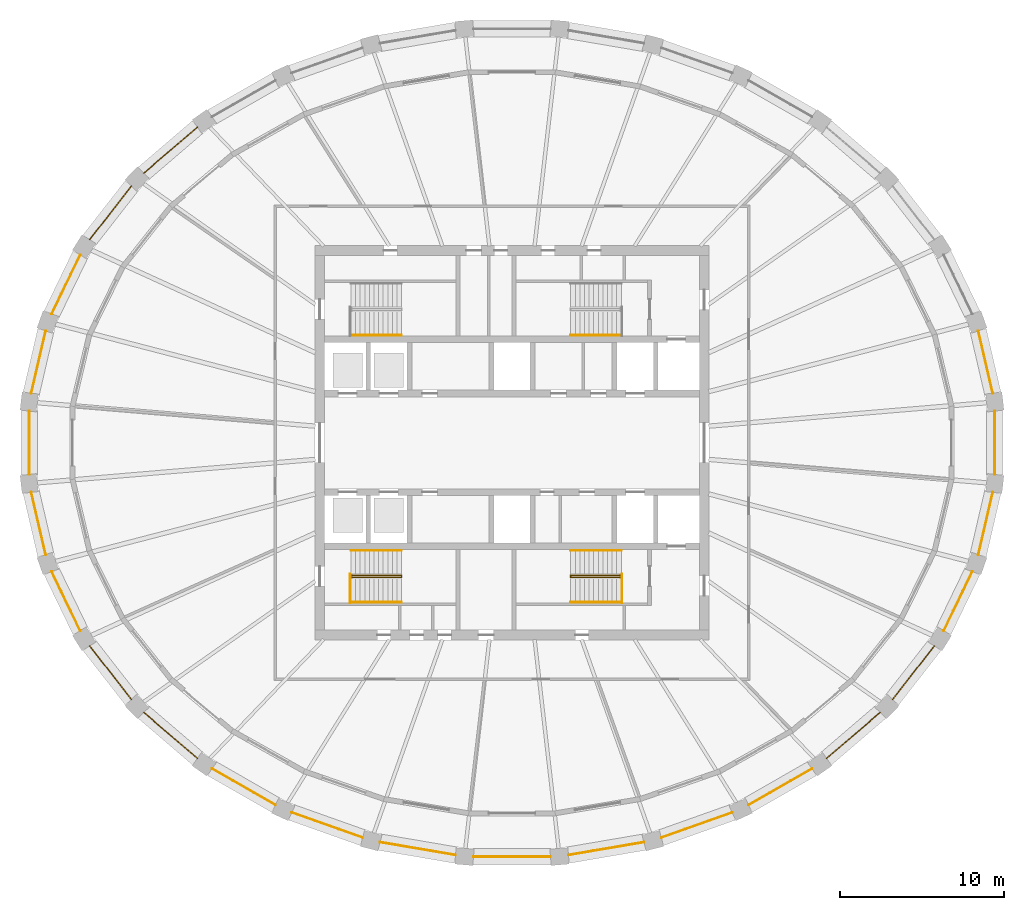
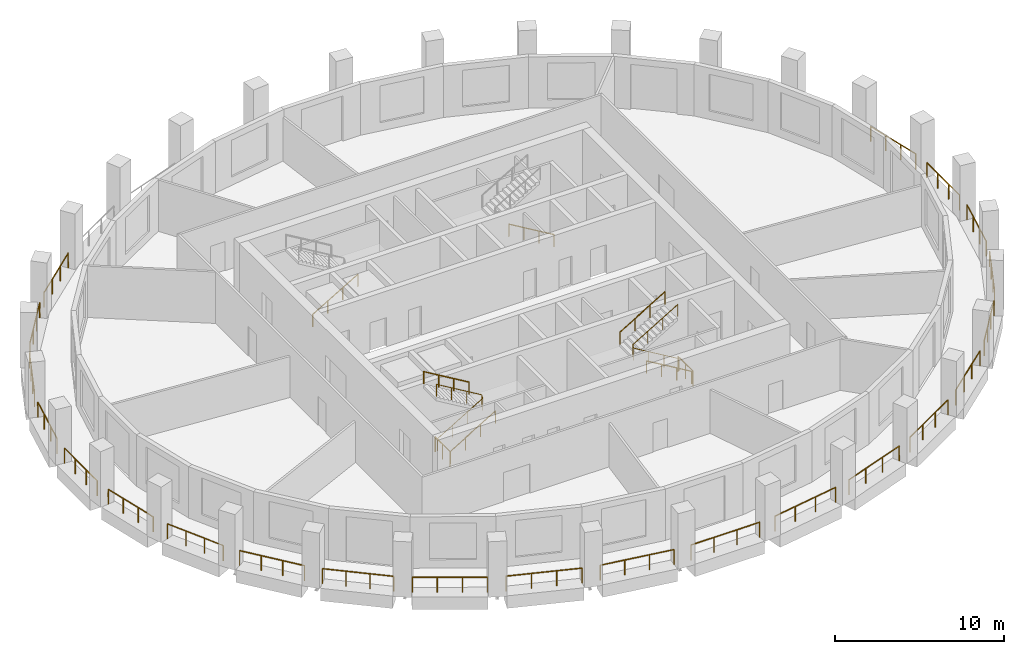
# One storey, part 8 of 10: 32 railings.
"""IFC4 building model written with IfcOpenShell, lengths in metres."""

from ifc_helpers import new_model, si_unit, direction, frame, origin, origin_2d, place, context, subcontext, project, spatial, circle, extrude, material, type_object, element, save


model = new_model("IFC4")

# Units and contexts
model_context = context("Model", 3, precision=1e-05, world=origin(), true_north=direction((0.0, 1.0)))
body_context = subcontext(model_context, "Body", "Model", "MODEL_VIEW")
ifc_project = project(units=[si_unit("LENGTHUNIT", "METRE"), si_unit("AREAUNIT", "SQUARE_METRE"), si_unit("VOLUMEUNIT", "CUBIC_METRE"), si_unit("PLANEANGLEUNIT", "RADIAN"), si_unit("MASSUNIT", "GRAM", prefix="KILO")], contexts=[model_context])

# Site, building, storey
site_placement = place(None, origin())
site = spatial("IfcSite", under=ifc_project, at=site_placement, CompositionType="ELEMENT")
building_placement = place(site_placement, origin())
building = spatial("IfcBuilding", under=site, at=building_placement, Name="Halqa Exchange Tower", CompositionType="ELEMENT")
storey_placement = place(building_placement, frame((0.0, 0.0, 280.300048828125)))
storey = spatial("IfcBuildingStorey", under=building, at=storey_placement, Name="L65", CompositionType="ELEMENT", Elevation=280.300048828125)

# Railings
ifc_material = material(Name="Stainless steel", Category="steel")
railing_type_1 = type_object("IfcRailingType", Name="Guard 1100 stainless steel", PredefinedType="GUARDRAIL", material=ifc_material)
railing_1_placement = place(storey_placement, frame((29.259765625, 3.016357421875, 0.0)))
element("IfcRailing", 1, at=railing_1_placement, inside=storey, type_object=railing_type_1, Name="Loggia guard 1", PredefinedType="GUARDRAIL", context=body_context, shape_type="SweptSolid", body=[
    extrude(circle(Radius=0.02392578125, at=origin_2d()), frame((0.0, 0.0, 1.076171875), z_axis=(-0.226072359683, 0.974110511281, 0.0), x_axis=(-0.974110511281, -0.226072359683, 0.0)), (0.0, 0.0, 1.0), 3.895263671875),
    extrude(circle(Radius=0.02099609375, at=origin_2d()), origin(), (0.0, 0.0, 1.0), 1.052001953125),
    extrude(circle(Radius=0.02099609375, at=origin_2d()), frame((-0.29345703125, 1.264892578125, 0.0)), (0.0, 0.0, 1.0), 1.052001953125),
    extrude(circle(Radius=0.02099609375, at=origin_2d()), frame((-0.587158203125, 2.529541015625, 0.0)), (0.0, 0.0, 1.0), 1.052001953125),
    extrude(circle(Radius=0.02099609375, at=origin_2d()), frame((-0.880615234375, 3.79443359375, 0.0)), (0.0, 0.0, 1.0), 1.052001953125),
])
railing_2_placement = place(storey_placement, frame((-19.14892578125, 19.205810546875, 0.0)))
element("IfcRailing", 2, at=railing_2_placement, inside=storey, type_object=railing_type_1, Name="Loggia guard 12", PredefinedType="GUARDRAIL", context=body_context, shape_type="SweptSolid", body=[
    extrude(circle(Radius=0.02392578125, at=origin_2d()), frame((0.0, 0.0, 1.076171875), z_axis=(-0.759224469346, -0.650828860105, 0.0), x_axis=(0.650828860105, -0.759224469346, 0.0)), (0.0, 0.0, 1.0), 4.290771484375),
    extrude(circle(Radius=0.02099609375, at=origin_2d()), origin(), (0.0, 0.0, 1.0), 1.052001953125),
    extrude(circle(Radius=0.02099609375, at=origin_2d()), frame((-1.0859375, -0.930908203125, 0.0)), (0.0, 0.0, 1.0), 1.052001953125),
    extrude(circle(Radius=0.02099609375, at=origin_2d()), frame((-2.171630859375, -1.861572265625, 0.0)), (0.0, 0.0, 1.0), 1.052001953125),
    extrude(circle(Radius=0.02099609375, at=origin_2d()), frame((-3.257568359375, -2.79248046875, 0.0)), (0.0, 0.0, 1.0), 1.052001953125),
])
railing_3_placement = place(storey_placement, frame((-23.162353515625, 15.62158203125, 0.0)))
element("IfcRailing", 3, at=railing_3_placement, inside=storey, type_object=railing_type_1, Name="Loggia guard 13", PredefinedType="GUARDRAIL", context=body_context, shape_type="SweptSolid", body=[
    extrude(circle(Radius=0.02392578125, at=origin_2d()), frame((0.0, 0.0, 1.076171875), z_axis=(-0.614791424405, -0.788689739047, 0.0), x_axis=(0.788689739047, -0.614791424405, 0.0)), (0.0, 0.0, 1.0), 4.13037109375),
    extrude(circle(Radius=0.02099609375, at=origin_2d()), origin(), (0.0, 0.0, 1.0), 1.052001953125),
    extrude(circle(Radius=0.02099609375, at=origin_2d()), frame((-0.846435546875, -1.0859375, 0.0)), (0.0, 0.0, 1.0), 1.052001953125),
    extrude(circle(Radius=0.02099609375, at=origin_2d()), frame((-1.69287109375, -2.171630859375, 0.0)), (0.0, 0.0, 1.0), 1.052001953125),
    extrude(circle(Radius=0.02099609375, at=origin_2d()), frame((-2.539306640625, -3.257568359375, 0.0)), (0.0, 0.0, 1.0), 1.052001953125),
])
railing_4_placement = place(storey_placement, frame((-26.279296875, 11.43505859375, 0.0)))
element("IfcRailing", 4, at=railing_4_placement, inside=storey, type_object=railing_type_1, Name="Loggia guard 14", PredefinedType="GUARDRAIL", context=body_context, shape_type="SweptSolid", body=[
    extrude(circle(Radius=0.02392578125, at=origin_2d()), frame((0.0, 0.0, 1.076171875), z_axis=(-0.43508435382, -0.900389696221, 0.0), x_axis=(0.900389696221, -0.43508435382, 0.0)), (0.0, 0.0, 1.0), 3.99072265625),
    extrude(circle(Radius=0.02099609375, at=origin_2d()), origin(), (0.0, 0.0, 1.0), 1.052001953125),
    extrude(circle(Radius=0.02099609375, at=origin_2d()), frame((-0.578857421875, -1.19775390625, 0.0)), (0.0, 0.0, 1.0), 1.052001953125),
    extrude(circle(Radius=0.02099609375, at=origin_2d()), frame((-1.157470703125, -2.3955078125, 0.0)), (0.0, 0.0, 1.0), 1.052001953125),
    extrude(circle(Radius=0.02099609375, at=origin_2d()), frame((-1.736328125, -3.59326171875, 0.0)), (0.0, 0.0, 1.0), 1.052001953125),
])
railing_5_placement = place(storey_placement, frame((-28.379150390625, 6.810791015625, 0.0)))
element("IfcRailing", 5, at=railing_5_placement, inside=storey, type_object=railing_type_1, Name="Loggia guard 15", PredefinedType="GUARDRAIL", context=body_context, shape_type="SweptSolid", body=[
    extrude(circle(Radius=0.02392578125, at=origin_2d()), frame((0.0, 0.0, 1.076171875), z_axis=(-0.226072359683, -0.974110511281, 0.0), x_axis=(0.974110511281, -0.226072359683, 0.0)), (0.0, 0.0, 1.0), 3.895263671875),
    extrude(circle(Radius=0.02099609375, at=origin_2d()), origin(), (0.0, 0.0, 1.0), 1.052001953125),
    extrude(circle(Radius=0.02099609375, at=origin_2d()), frame((-0.29345703125, -1.264892578125, 0.0)), (0.0, 0.0, 1.0), 1.052001953125),
    extrude(circle(Radius=0.02099609375, at=origin_2d()), frame((-0.587158203125, -2.529541015625, 0.0)), (0.0, 0.0, 1.0), 1.052001953125),
    extrude(circle(Radius=0.02099609375, at=origin_2d()), frame((-0.880615234375, -3.79443359375, 0.0)), (0.0, 0.0, 1.0), 1.052001953125),
])
railing_6_placement = place(storey_placement, frame((-29.384033203125, 1.9306640625, 0.0)))
element("IfcRailing", 6, at=railing_6_placement, inside=storey, type_object=railing_type_1, Name="Loggia guard 16", PredefinedType="GUARDRAIL", context=body_context, shape_type="SweptSolid", body=[
    extrude(circle(Radius=0.02392578125, at=origin_2d()), frame((0.0, 0.0, 1.076171875), z_axis=(0.0, -1.0, 0.0), x_axis=(1.0, 0.0, 0.0)), (0.0, 0.0, 1.0), 3.861328125),
    extrude(circle(Radius=0.02099609375, at=origin_2d()), origin(), (0.0, 0.0, 1.0), 1.052001953125),
    extrude(circle(Radius=0.02099609375, at=origin_2d()), frame((0.0, -1.287109375, 0.0)), (0.0, 0.0, 1.0), 1.052001953125),
    extrude(circle(Radius=0.02099609375, at=origin_2d()), frame((0.0, -2.57421875, 0.0)), (0.0, 0.0, 1.0), 1.052001953125),
    extrude(circle(Radius=0.02099609375, at=origin_2d()), frame((0.0, -3.861328125, 0.0)), (0.0, 0.0, 1.0), 1.052001953125),
])
railing_7_placement = place(storey_placement, frame((-29.259765625, -3.016357421875, 0.0)))
element("IfcRailing", 7, at=railing_7_placement, inside=storey, type_object=railing_type_1, Name="Loggia guard 17", PredefinedType="GUARDRAIL", context=body_context, shape_type="SweptSolid", body=[
    extrude(circle(Radius=0.02392578125, at=origin_2d()), frame((0.0, 0.0, 1.076171875), z_axis=(0.226072359683, -0.974110511281, 0.0), x_axis=(0.974110511281, 0.226072359683, 0.0)), (0.0, 0.0, 1.0), 3.895263671875),
    extrude(circle(Radius=0.02099609375, at=origin_2d()), origin(), (0.0, 0.0, 1.0), 1.052001953125),
    extrude(circle(Radius=0.02099609375, at=origin_2d()), frame((0.29345703125, -1.264892578125, 0.0)), (0.0, 0.0, 1.0), 1.052001953125),
    extrude(circle(Radius=0.02099609375, at=origin_2d()), frame((0.587158203125, -2.529541015625, 0.0)), (0.0, 0.0, 1.0), 1.052001953125),
    extrude(circle(Radius=0.02099609375, at=origin_2d()), frame((0.880615234375, -3.79443359375, 0.0)), (0.0, 0.0, 1.0), 1.052001953125),
])
railing_8_placement = place(storey_placement, frame((-28.015625, -7.841796875, 0.0)))
element("IfcRailing", 8, at=railing_8_placement, inside=storey, type_object=railing_type_1, Name="Loggia guard 18", PredefinedType="GUARDRAIL", context=body_context, shape_type="SweptSolid", body=[
    extrude(circle(Radius=0.02392578125, at=origin_2d()), frame((0.0, 0.0, 1.076171875), z_axis=(0.43508435382, -0.900389696221, 0.0), x_axis=(0.900389696221, 0.43508435382, 0.0)), (0.0, 0.0, 1.0), 3.99072265625),
    extrude(circle(Radius=0.02099609375, at=origin_2d()), origin(), (0.0, 0.0, 1.0), 1.052001953125),
    extrude(circle(Radius=0.02099609375, at=origin_2d()), frame((0.578857421875, -1.19775390625, 0.0)), (0.0, 0.0, 1.0), 1.052001953125),
    extrude(circle(Radius=0.02099609375, at=origin_2d()), frame((1.157470703125, -2.3955078125, 0.0)), (0.0, 0.0, 1.0), 1.052001953125),
    extrude(circle(Radius=0.02099609375, at=origin_2d()), frame((1.736328125, -3.59326171875, 0.0)), (0.0, 0.0, 1.0), 1.052001953125),
])
railing_9_placement = place(storey_placement, frame((-25.70166015625, -12.364013671875, 0.0)))
element("IfcRailing", 9, at=railing_9_placement, inside=storey, type_object=railing_type_1, Name="Loggia guard 19", PredefinedType="GUARDRAIL", context=body_context, shape_type="SweptSolid", body=[
    extrude(circle(Radius=0.02392578125, at=origin_2d()), frame((0.0, 0.0, 1.076171875), z_axis=(0.614791424405, -0.788689739047, 0.0), x_axis=(0.788689739047, 0.614791424405, 0.0)), (0.0, 0.0, 1.0), 4.13037109375),
    extrude(circle(Radius=0.02099609375, at=origin_2d()), origin(), (0.0, 0.0, 1.0), 1.052001953125),
    extrude(circle(Radius=0.02099609375, at=origin_2d()), frame((0.846435546875, -1.0859375, 0.0)), (0.0, 0.0, 1.0), 1.052001953125),
    extrude(circle(Radius=0.02099609375, at=origin_2d()), frame((1.69287109375, -2.171630859375, 0.0)), (0.0, 0.0, 1.0), 1.052001953125),
    extrude(circle(Radius=0.02099609375, at=origin_2d()), frame((2.539306640625, -3.257568359375, 0.0)), (0.0, 0.0, 1.0), 1.052001953125),
])
railing_10_placement = place(storey_placement, frame((-22.406494140625, -16.413330078125, 0.0)))
element("IfcRailing", 10, at=railing_10_placement, inside=storey, type_object=railing_type_1, Name="Loggia guard 20", PredefinedType="GUARDRAIL", context=body_context, shape_type="SweptSolid", body=[
    extrude(circle(Radius=0.02392578125, at=origin_2d()), frame((0.0, 0.0, 1.076171875), z_axis=(0.759224469346, -0.650828860105, 0.0), x_axis=(0.650828860105, 0.759224469346, 0.0)), (0.0, 0.0, 1.0), 4.290771484375),
    extrude(circle(Radius=0.02099609375, at=origin_2d()), origin(), (0.0, 0.0, 1.0), 1.052001953125),
    extrude(circle(Radius=0.02099609375, at=origin_2d()), frame((1.0859375, -0.930908203125, 0.0)), (0.0, 0.0, 1.0), 1.052001953125),
    extrude(circle(Radius=0.02099609375, at=origin_2d()), frame((2.171630859375, -1.861572265625, 0.0)), (0.0, 0.0, 1.0), 1.052001953125),
    extrude(circle(Radius=0.02099609375, at=origin_2d()), frame((3.257568359375, -2.79248046875, 0.0)), (0.0, 0.0, 1.0), 1.052001953125),
])
railing_11_placement = place(storey_placement, frame((-18.25390625, -19.8369140625, 0.0)))
element("IfcRailing", 11, at=railing_11_placement, inside=storey, type_object=railing_type_1, Name="Loggia guard 21", PredefinedType="GUARDRAIL", context=body_context, shape_type="SweptSolid", body=[
    extrude(circle(Radius=0.02392578125, at=origin_2d()), frame((0.0, 0.0, 1.076171875), z_axis=(0.867739182738, -0.497019829323, 0.0), x_axis=(0.497019829323, 0.867739182738, 0.0)), (0.0, 0.0, 1.0), 4.446044921875),
    extrude(circle(Radius=0.02099609375, at=origin_2d()), origin(), (0.0, 0.0, 1.0), 1.052001953125),
    extrude(circle(Radius=0.02099609375, at=origin_2d()), frame((1.285888671875, -0.736572265625, 0.0)), (0.0, 0.0, 1.0), 1.052001953125),
    extrude(circle(Radius=0.02099609375, at=origin_2d()), frame((2.572021484375, -1.47314453125, 0.0)), (0.0, 0.0, 1.0), 1.052001953125),
    extrude(circle(Radius=0.02099609375, at=origin_2d()), frame((3.85791015625, -2.209716796875, 0.0)), (0.0, 0.0, 1.0), 1.052001953125),
])
railing_12_placement = place(storey_placement, frame((-13.400390625, -22.50390625, 0.0)))
element("IfcRailing", 12, at=railing_12_placement, inside=storey, type_object=railing_type_1, Name="Loggia guard 22", PredefinedType="GUARDRAIL", context=body_context, shape_type="SweptSolid", body=[
    extrude(circle(Radius=0.02392578125, at=origin_2d()), frame((0.0, 0.0, 1.076171875), z_axis=(0.942372934401, -0.334564272611, 0.0), x_axis=(0.334564272611, 0.942372934401, 0.0)), (0.0, 0.0, 1.0), 4.57470703125),
    extrude(circle(Radius=0.02099609375, at=origin_2d()), origin(), (0.0, 0.0, 1.0), 1.052001953125),
    extrude(circle(Radius=0.02099609375, at=origin_2d()), frame((1.43701171875, -0.51025390625, 0.0)), (0.0, 0.0, 1.0), 1.052001953125),
    extrude(circle(Radius=0.02099609375, at=origin_2d()), frame((2.8740234375, -1.020263671875, 0.0)), (0.0, 0.0, 1.0), 1.052001953125),
    extrude(circle(Radius=0.02099609375, at=origin_2d()), frame((4.31103515625, -1.530517578125, 0.0)), (0.0, 0.0, 1.0), 1.052001953125),
])
railing_13_placement = place(storey_placement, frame((-8.02880859375, -24.310791015625, 0.0)))
element("IfcRailing", 13, at=railing_13_placement, inside=storey, type_object=railing_type_1, Name="Loggia guard 23", PredefinedType="GUARDRAIL", context=body_context, shape_type="SweptSolid", body=[
    extrude(circle(Radius=0.02392578125, at=origin_2d()), frame((0.0, 0.0, 1.076171875), z_axis=(0.985768001881, -0.168111410878, 0.0), x_axis=(0.168111410878, 0.985768001881, 0.0)), (0.0, 0.0, 1.0), 4.658935546875),
    extrude(circle(Radius=0.02099609375, at=origin_2d()), origin(), (0.0, 0.0, 1.0), 1.052001953125),
    extrude(circle(Radius=0.02099609375, at=origin_2d()), frame((1.53076171875, -0.260986328125, 0.0)), (0.0, 0.0, 1.0), 1.052001953125),
    extrude(circle(Radius=0.02099609375, at=origin_2d()), frame((3.061767578125, -0.522216796875, 0.0)), (0.0, 0.0, 1.0), 1.052001953125),
    extrude(circle(Radius=0.02099609375, at=origin_2d()), frame((4.592529296875, -0.783203125, 0.0)), (0.0, 0.0, 1.0), 1.052001953125),
])
railing_14_placement = place(storey_placement, frame((-2.343994140625, -25.186279296875, 0.0)))
element("IfcRailing", 14, at=railing_14_placement, inside=storey, type_object=railing_type_1, Name="Loggia guard 24", PredefinedType="GUARDRAIL", context=body_context, shape_type="SweptSolid", body=[
    extrude(circle(Radius=0.02392578125, at=origin_2d()), frame((0.0, 0.0, 1.076171875), z_axis=(1.0, 0.0, 0.0), x_axis=(0.0, 1.0, 0.0)), (0.0, 0.0, 1.0), 4.68798828125),
    extrude(circle(Radius=0.02099609375, at=origin_2d()), origin(), (0.0, 0.0, 1.0), 1.052001953125),
    extrude(circle(Radius=0.02099609375, at=origin_2d()), frame((1.562744140625, 0.0, 0.0)), (0.0, 0.0, 1.0), 1.052001953125),
    extrude(circle(Radius=0.02099609375, at=origin_2d()), frame((3.125244140625, 0.0, 0.0)), (0.0, 0.0, 1.0), 1.052001953125),
    extrude(circle(Radius=0.02099609375, at=origin_2d()), frame((4.68798828125, 0.0, 0.0)), (0.0, 0.0, 1.0), 1.052001953125),
])
railing_15_placement = place(storey_placement, frame((3.436279296875, -25.093994140625, 0.0)))
element("IfcRailing", 15, at=railing_15_placement, inside=storey, type_object=railing_type_1, Name="Loggia guard 25", PredefinedType="GUARDRAIL", context=body_context, shape_type="SweptSolid", body=[
    extrude(circle(Radius=0.02392578125, at=origin_2d()), frame((0.0, 0.0, 1.076171875), z_axis=(0.985768001881, 0.168111410878, 0.0), x_axis=(-0.168111410878, 0.985768001881, 0.0)), (0.0, 0.0, 1.0), 4.658935546875),
    extrude(circle(Radius=0.02099609375, at=origin_2d()), origin(), (0.0, 0.0, 1.0), 1.052001953125),
    extrude(circle(Radius=0.02099609375, at=origin_2d()), frame((1.53076171875, 0.260986328125, 0.0)), (0.0, 0.0, 1.0), 1.052001953125),
    extrude(circle(Radius=0.02099609375, at=origin_2d()), frame((3.061767578125, 0.522216796875, 0.0)), (0.0, 0.0, 1.0), 1.052001953125),
    extrude(circle(Radius=0.02099609375, at=origin_2d()), frame((4.592529296875, 0.783203125, 0.0)), (0.0, 0.0, 1.0), 1.052001953125),
])
railing_16_placement = place(storey_placement, frame((9.08935546875, -24.034423828125, 0.0)))
element("IfcRailing", 16, at=railing_16_placement, inside=storey, type_object=railing_type_1, Name="Loggia guard 26", PredefinedType="GUARDRAIL", context=body_context, shape_type="SweptSolid", body=[
    extrude(circle(Radius=0.02392578125, at=origin_2d()), frame((0.0, 0.0, 1.076171875), z_axis=(0.942372934401, 0.334564272611, 0.0), x_axis=(-0.334564272611, 0.942372934401, 0.0)), (0.0, 0.0, 1.0), 4.57470703125),
    extrude(circle(Radius=0.02099609375, at=origin_2d()), origin(), (0.0, 0.0, 1.0), 1.052001953125),
    extrude(circle(Radius=0.02099609375, at=origin_2d()), frame((1.43701171875, 0.51025390625, 0.0)), (0.0, 0.0, 1.0), 1.052001953125),
    extrude(circle(Radius=0.02099609375, at=origin_2d()), frame((2.8740234375, 1.020263671875, 0.0)), (0.0, 0.0, 1.0), 1.052001953125),
    extrude(circle(Radius=0.02099609375, at=origin_2d()), frame((4.31103515625, 1.530517578125, 0.0)), (0.0, 0.0, 1.0), 1.052001953125),
])
railing_17_placement = place(storey_placement, frame((14.39599609375, -22.046630859375, 0.0)))
element("IfcRailing", 17, at=railing_17_placement, inside=storey, type_object=railing_type_1, Name="Loggia guard 27", PredefinedType="GUARDRAIL", context=body_context, shape_type="SweptSolid", body=[
    extrude(circle(Radius=0.02392578125, at=origin_2d()), frame((0.0, 0.0, 1.076171875), z_axis=(0.867739182738, 0.497019829323, 0.0), x_axis=(-0.497019829323, 0.867739182738, 0.0)), (0.0, 0.0, 1.0), 4.446044921875),
    extrude(circle(Radius=0.02099609375, at=origin_2d()), origin(), (0.0, 0.0, 1.0), 1.052001953125),
    extrude(circle(Radius=0.02099609375, at=origin_2d()), frame((1.285888671875, 0.736572265625, 0.0)), (0.0, 0.0, 1.0), 1.052001953125),
    extrude(circle(Radius=0.02099609375, at=origin_2d()), frame((2.572021484375, 1.47314453125, 0.0)), (0.0, 0.0, 1.0), 1.052001953125),
    extrude(circle(Radius=0.02099609375, at=origin_2d()), frame((3.85791015625, 2.209716796875, 0.0)), (0.0, 0.0, 1.0), 1.052001953125),
])
railing_18_placement = place(storey_placement, frame((19.14892578125, -19.205810546875, 0.0)))
element("IfcRailing", 18, at=railing_18_placement, inside=storey, type_object=railing_type_1, Name="Loggia guard 28", PredefinedType="GUARDRAIL", context=body_context, shape_type="SweptSolid", body=[
    extrude(circle(Radius=0.02392578125, at=origin_2d()), frame((0.0, 0.0, 1.076171875), z_axis=(0.759224469346, 0.650828860105, 0.0), x_axis=(-0.650828860105, 0.759224469346, 0.0)), (0.0, 0.0, 1.0), 4.290771484375),
    extrude(circle(Radius=0.02099609375, at=origin_2d()), origin(), (0.0, 0.0, 1.0), 1.052001953125),
    extrude(circle(Radius=0.02099609375, at=origin_2d()), frame((1.0859375, 0.930908203125, 0.0)), (0.0, 0.0, 1.0), 1.052001953125),
    extrude(circle(Radius=0.02099609375, at=origin_2d()), frame((2.171630859375, 1.861572265625, 0.0)), (0.0, 0.0, 1.0), 1.052001953125),
    extrude(circle(Radius=0.02099609375, at=origin_2d()), frame((3.257568359375, 2.79248046875, 0.0)), (0.0, 0.0, 1.0), 1.052001953125),
])
railing_19_placement = place(storey_placement, frame((23.162353515625, -15.62158203125, 0.0)))
element("IfcRailing", 19, at=railing_19_placement, inside=storey, type_object=railing_type_1, Name="Loggia guard 29", PredefinedType="GUARDRAIL", context=body_context, shape_type="SweptSolid", body=[
    extrude(circle(Radius=0.02392578125, at=origin_2d()), frame((0.0, 0.0, 1.076171875), z_axis=(0.614791424405, 0.788689739047, 0.0), x_axis=(-0.788689739047, 0.614791424405, 0.0)), (0.0, 0.0, 1.0), 4.13037109375),
    extrude(circle(Radius=0.02099609375, at=origin_2d()), origin(), (0.0, 0.0, 1.0), 1.052001953125),
    extrude(circle(Radius=0.02099609375, at=origin_2d()), frame((0.846435546875, 1.0859375, 0.0)), (0.0, 0.0, 1.0), 1.052001953125),
    extrude(circle(Radius=0.02099609375, at=origin_2d()), frame((1.69287109375, 2.171630859375, 0.0)), (0.0, 0.0, 1.0), 1.052001953125),
    extrude(circle(Radius=0.02099609375, at=origin_2d()), frame((2.539306640625, 3.257568359375, 0.0)), (0.0, 0.0, 1.0), 1.052001953125),
])
railing_20_placement = place(storey_placement, frame((26.279296875, -11.43505859375, 0.0)))
element("IfcRailing", 20, at=railing_20_placement, inside=storey, type_object=railing_type_1, Name="Loggia guard 30", PredefinedType="GUARDRAIL", context=body_context, shape_type="SweptSolid", body=[
    extrude(circle(Radius=0.02392578125, at=origin_2d()), frame((0.0, 0.0, 1.076171875), z_axis=(0.43508435382, 0.900389696221, 0.0), x_axis=(-0.900389696221, 0.43508435382, 0.0)), (0.0, 0.0, 1.0), 3.99072265625),
    extrude(circle(Radius=0.02099609375, at=origin_2d()), origin(), (0.0, 0.0, 1.0), 1.052001953125),
    extrude(circle(Radius=0.02099609375, at=origin_2d()), frame((0.578857421875, 1.19775390625, 0.0)), (0.0, 0.0, 1.0), 1.052001953125),
    extrude(circle(Radius=0.02099609375, at=origin_2d()), frame((1.157470703125, 2.3955078125, 0.0)), (0.0, 0.0, 1.0), 1.052001953125),
    extrude(circle(Radius=0.02099609375, at=origin_2d()), frame((1.736328125, 3.59326171875, 0.0)), (0.0, 0.0, 1.0), 1.052001953125),
])
railing_21_placement = place(storey_placement, frame((28.379150390625, -6.810791015625, 0.0)))
element("IfcRailing", 21, at=railing_21_placement, inside=storey, type_object=railing_type_1, Name="Loggia guard 31", PredefinedType="GUARDRAIL", context=body_context, shape_type="SweptSolid", body=[
    extrude(circle(Radius=0.02392578125, at=origin_2d()), frame((0.0, 0.0, 1.076171875), z_axis=(0.226072359683, 0.974110511281, 0.0), x_axis=(-0.974110511281, 0.226072359683, 0.0)), (0.0, 0.0, 1.0), 3.895263671875),
    extrude(circle(Radius=0.02099609375, at=origin_2d()), origin(), (0.0, 0.0, 1.0), 1.052001953125),
    extrude(circle(Radius=0.02099609375, at=origin_2d()), frame((0.29345703125, 1.264892578125, 0.0)), (0.0, 0.0, 1.0), 1.052001953125),
    extrude(circle(Radius=0.02099609375, at=origin_2d()), frame((0.587158203125, 2.529541015625, 0.0)), (0.0, 0.0, 1.0), 1.052001953125),
    extrude(circle(Radius=0.02099609375, at=origin_2d()), frame((0.880615234375, 3.79443359375, 0.0)), (0.0, 0.0, 1.0), 1.052001953125),
])
railing_22_placement = place(storey_placement, frame((29.384033203125, -1.9306640625, 0.0)))
element("IfcRailing", 22, at=railing_22_placement, inside=storey, type_object=railing_type_1, Name="Loggia guard 32", PredefinedType="GUARDRAIL", context=body_context, shape_type="SweptSolid", body=[
    extrude(circle(Radius=0.02392578125, at=origin_2d()), frame((0.0, 0.0, 1.076171875), z_axis=(0.0, 1.0, 0.0), x_axis=(-1.0, 0.0, 0.0)), (0.0, 0.0, 1.0), 3.861328125),
    extrude(circle(Radius=0.02099609375, at=origin_2d()), origin(), (0.0, 0.0, 1.0), 1.052001953125),
    extrude(circle(Radius=0.02099609375, at=origin_2d()), frame((0.0, 1.287109375, 0.0)), (0.0, 0.0, 1.0), 1.052001953125),
    extrude(circle(Radius=0.02099609375, at=origin_2d()), frame((0.0, 2.57421875, 0.0)), (0.0, 0.0, 1.0), 1.052001953125),
    extrude(circle(Radius=0.02099609375, at=origin_2d()), frame((0.0, 3.861328125, 0.0)), (0.0, 0.0, 1.0), 1.052001953125),
])
railing_type_2 = type_object("IfcRailingType", Name="Stair handrail 900", PredefinedType="HANDRAIL", material=ifc_material)
railing_23_placement = place(storey_placement, frame((-9.800048828125, 6.550048828125, 0.166748046875)))
element("IfcRailing", 23, at=railing_23_placement, inside=storey, type_object=railing_type_2, Name="Handrail ST1.2", PredefinedType="HANDRAIL", context=body_context, shape_type="SweptSolid", body=[
    extrude(circle(Radius=0.02392578125, at=origin_2d()), frame((0.0, 0.0, 0.8759765625), z_axis=(0.859308565015, 0.0, 0.511457515432), x_axis=(0.0, 1.0, 0.0)), (0.0, 0.0, 1.0), 3.58447265625),
    extrude(circle(Radius=0.02099609375, at=origin_2d()), origin(), (0.0, 0.0, 1.0), 0.851806640625),
    extrude(circle(Radius=0.02099609375, at=origin_2d()), frame((1.026611328125, 0.0, 0.611083984375)), (0.0, 0.0, 1.0), 0.851806640625),
    extrude(circle(Radius=0.02099609375, at=origin_2d()), frame((2.053466796875, 0.0, 1.22216796875)), (0.0, 0.0, 1.0), 0.851806640625),
    extrude(circle(Radius=0.02099609375, at=origin_2d()), frame((3.080078125, 0.0, 1.833251953125)), (0.0, 0.0, 1.0), 0.851806640625),
])
railing_24_placement = place(storey_placement, frame((6.64990234375, 6.550048828125, 0.166748046875)))
element("IfcRailing", 24, at=railing_24_placement, inside=storey, type_object=railing_type_2, Name="Handrail ST2.2", PredefinedType="HANDRAIL", context=body_context, shape_type="SweptSolid", body=[
    extrude(circle(Radius=0.02392578125, at=origin_2d()), frame((0.0, 0.0, 0.8759765625), z_axis=(-0.859290745958, 0.0, 0.51148745235), x_axis=(0.0, -1.0, 0.0)), (0.0, 0.0, 1.0), 3.584228515625),
    extrude(circle(Radius=0.02099609375, at=origin_2d()), origin(), (0.0, 0.0, 1.0), 0.851806640625),
    extrude(circle(Radius=0.02099609375, at=origin_2d()), frame((-1.026611328125, 0.0, 0.611083984375)), (0.0, 0.0, 1.0), 0.851806640625),
    extrude(circle(Radius=0.02099609375, at=origin_2d()), frame((-2.05322265625, 0.0, 1.22216796875)), (0.0, 0.0, 1.0), 0.851806640625),
    extrude(circle(Radius=0.02099609375, at=origin_2d()), frame((-3.079833984375, 0.0, 1.833251953125)), (0.0, 0.0, 1.0), 0.851806640625),
])
railing_25_placement = place(storey_placement, frame((-9.800048828125, -8.18994140625, 0.166748046875)))
element("IfcRailing", 25, at=railing_25_placement, inside=storey, type_object=railing_type_2, Name="Handrail ST3.1", PredefinedType="HANDRAIL", context=body_context, shape_type="SweptSolid", body=[
    extrude(circle(Radius=0.02392578125, at=origin_2d()), frame((0.0, 0.0, 0.8759765625), z_axis=(0.859308565015, 0.0, 0.511457515432), x_axis=(0.0, 1.0, 0.0)), (0.0, 0.0, 1.0), 3.58447265625),
    extrude(circle(Radius=0.02392578125, at=origin_2d()), frame((3.080078125, 0.0, 2.708984375), z_axis=(0.0, 0.614500226555, 0.788916644243), x_axis=(-1.0, 0.0, 0.0)), (0.0, 0.0, 1.0), 0.21142578125),
    extrude(circle(Radius=0.02392578125, at=origin_2d()), frame((3.080078125, 0.1298828125, 2.8759765625), z_axis=(-0.859308565015, 0.0, 0.511457515432), x_axis=(0.0, -1.0, 0.0)), (0.0, 0.0, 1.0), 3.58447265625),
    extrude(circle(Radius=0.02099609375, at=origin_2d()), origin(), (0.0, 0.0, 1.0), 0.851806640625),
    extrude(circle(Radius=0.02099609375, at=origin_2d()), frame((1.026611328125, 0.0, 0.611083984375)), (0.0, 0.0, 1.0), 0.851806640625),
    extrude(circle(Radius=0.02099609375, at=origin_2d()), frame((2.053466796875, 0.0, 1.22216796875)), (0.0, 0.0, 1.0), 0.851806640625),
    extrude(circle(Radius=0.02099609375, at=origin_2d()), frame((3.080078125, 0.0, 1.833251953125)), (0.0, 0.0, 1.0), 0.851806640625),
    extrude(circle(Radius=0.02099609375, at=origin_2d()), frame((3.080078125, 0.1298828125, 2.0)), (0.0, 0.0, 1.0), 0.851806640625),
    extrude(circle(Radius=0.02099609375, at=origin_2d()), frame((2.053466796875, 0.1298828125, 2.611083984375)), (0.0, 0.0, 1.0), 0.851806640625),
    extrude(circle(Radius=0.02099609375, at=origin_2d()), frame((1.026611328125, 0.1298828125, 3.22216796875)), (0.0, 0.0, 1.0), 0.851806640625),
    extrude(circle(Radius=0.02099609375, at=origin_2d()), frame((0.0, 0.1298828125, 3.833251953125)), (0.0, 0.0, 1.0), 0.851806640625),
])
railing_26_placement = place(storey_placement, frame((-9.800048828125, -9.699951171875, 0.166748046875)))
element("IfcRailing", 26, at=railing_26_placement, inside=storey, type_object=railing_type_2, Name="Handrail ST3.2", PredefinedType="HANDRAIL", context=body_context, shape_type="SweptSolid", body=[
    extrude(circle(Radius=0.02392578125, at=origin_2d()), frame((0.0, 0.0, 0.8759765625), z_axis=(0.859308565015, 0.0, 0.511457515432), x_axis=(0.0, 1.0, 0.0)), (0.0, 0.0, 1.0), 3.58447265625),
    extrude(circle(Radius=0.02099609375, at=origin_2d()), origin(), (0.0, 0.0, 1.0), 0.851806640625),
    extrude(circle(Radius=0.02099609375, at=origin_2d()), frame((1.026611328125, 0.0, 0.611083984375)), (0.0, 0.0, 1.0), 0.851806640625),
    extrude(circle(Radius=0.02099609375, at=origin_2d()), frame((2.053466796875, 0.0, 1.22216796875)), (0.0, 0.0, 1.0), 0.851806640625),
    extrude(circle(Radius=0.02099609375, at=origin_2d()), frame((3.080078125, 0.0, 1.833251953125)), (0.0, 0.0, 1.0), 0.851806640625),
])
railing_27_placement = place(storey_placement, frame((-6.719970703125, -6.550048828125, 2.166748046875)))
element("IfcRailing", 27, at=railing_27_placement, inside=storey, type_object=railing_type_2, Name="Handrail ST3.3", PredefinedType="HANDRAIL", context=body_context, shape_type="SweptSolid", body=[
    extrude(circle(Radius=0.02392578125, at=origin_2d()), frame((0.0, 0.0, 0.8759765625), z_axis=(-0.859308565015, 0.0, 0.511457515432), x_axis=(0.0, -1.0, 0.0)), (0.0, 0.0, 1.0), 3.58447265625),
    extrude(circle(Radius=0.02099609375, at=origin_2d()), origin(), (0.0, 0.0, 1.0), 0.851806640625),
    extrude(circle(Radius=0.02099609375, at=origin_2d()), frame((-1.026611328125, 0.0, 0.611083984375)), (0.0, 0.0, 1.0), 0.851806640625),
    extrude(circle(Radius=0.02099609375, at=origin_2d()), frame((-2.053466796875, 0.0, 1.22216796875)), (0.0, 0.0, 1.0), 0.851806640625),
    extrude(circle(Radius=0.02099609375, at=origin_2d()), frame((-3.080078125, 0.0, 1.833251953125)), (0.0, 0.0, 1.0), 0.851806640625),
])
railing_28_placement = place(storey_placement, frame((6.64990234375, -8.18994140625, 0.166748046875)))
element("IfcRailing", 28, at=railing_28_placement, inside=storey, type_object=railing_type_2, Name="Handrail ST4.1", PredefinedType="HANDRAIL", context=body_context, shape_type="SweptSolid", body=[
    extrude(circle(Radius=0.02392578125, at=origin_2d()), frame((0.0, 0.0, 0.8759765625), z_axis=(-0.859290745958, 0.0, 0.51148745235), x_axis=(0.0, -1.0, 0.0)), (0.0, 0.0, 1.0), 3.584228515625),
    extrude(circle(Radius=0.02392578125, at=origin_2d()), frame((-3.079833984375, 0.0, 2.708984375), z_axis=(0.0, 0.614500226555, 0.788916644243), x_axis=(-1.0, 0.0, 0.0)), (0.0, 0.0, 1.0), 0.21142578125),
    extrude(circle(Radius=0.02392578125, at=origin_2d()), frame((-3.079833984375, 0.1298828125, 2.8759765625), z_axis=(0.859290745958, 0.0, 0.51148745235), x_axis=(0.0, 1.0, 0.0)), (0.0, 0.0, 1.0), 3.584228515625),
    extrude(circle(Radius=0.02099609375, at=origin_2d()), origin(), (0.0, 0.0, 1.0), 0.851806640625),
    extrude(circle(Radius=0.02099609375, at=origin_2d()), frame((-1.026611328125, 0.0, 0.611083984375)), (0.0, 0.0, 1.0), 0.851806640625),
    extrude(circle(Radius=0.02099609375, at=origin_2d()), frame((-2.05322265625, 0.0, 1.22216796875)), (0.0, 0.0, 1.0), 0.851806640625),
    extrude(circle(Radius=0.02099609375, at=origin_2d()), frame((-3.079833984375, 0.0, 1.833251953125)), (0.0, 0.0, 1.0), 0.851806640625),
    extrude(circle(Radius=0.02099609375, at=origin_2d()), frame((-3.079833984375, 0.1298828125, 2.0)), (0.0, 0.0, 1.0), 0.851806640625),
    extrude(circle(Radius=0.02099609375, at=origin_2d()), frame((-2.05322265625, 0.1298828125, 2.611083984375)), (0.0, 0.0, 1.0), 0.851806640625),
    extrude(circle(Radius=0.02099609375, at=origin_2d()), frame((-1.026611328125, 0.1298828125, 3.22216796875)), (0.0, 0.0, 1.0), 0.851806640625),
    extrude(circle(Radius=0.02099609375, at=origin_2d()), frame((0.0, 0.1298828125, 3.833251953125)), (0.0, 0.0, 1.0), 0.851806640625),
])
railing_29_placement = place(storey_placement, frame((6.64990234375, -9.699951171875, 0.166748046875)))
element("IfcRailing", 29, at=railing_29_placement, inside=storey, type_object=railing_type_2, Name="Handrail ST4.2", PredefinedType="HANDRAIL", context=body_context, shape_type="SweptSolid", body=[
    extrude(circle(Radius=0.02392578125, at=origin_2d()), frame((0.0, 0.0, 0.8759765625), z_axis=(-0.859290745958, 0.0, 0.51148745235), x_axis=(0.0, -1.0, 0.0)), (0.0, 0.0, 1.0), 3.584228515625),
    extrude(circle(Radius=0.02099609375, at=origin_2d()), origin(), (0.0, 0.0, 1.0), 0.851806640625),
    extrude(circle(Radius=0.02099609375, at=origin_2d()), frame((-1.026611328125, 0.0, 0.611083984375)), (0.0, 0.0, 1.0), 0.851806640625),
    extrude(circle(Radius=0.02099609375, at=origin_2d()), frame((-2.05322265625, 0.0, 1.22216796875)), (0.0, 0.0, 1.0), 0.851806640625),
    extrude(circle(Radius=0.02099609375, at=origin_2d()), frame((-3.079833984375, 0.0, 1.833251953125)), (0.0, 0.0, 1.0), 0.851806640625),
])
railing_30_placement = place(storey_placement, frame((3.570068359375, -6.550048828125, 2.166748046875)))
element("IfcRailing", 30, at=railing_30_placement, inside=storey, type_object=railing_type_2, Name="Handrail ST4.3", PredefinedType="HANDRAIL", context=body_context, shape_type="SweptSolid", body=[
    extrude(circle(Radius=0.02392578125, at=origin_2d()), frame((0.0, 0.0, 0.8759765625), z_axis=(0.859290745958, 0.0, 0.51148745235), x_axis=(0.0, 1.0, 0.0)), (0.0, 0.0, 1.0), 3.584228515625),
    extrude(circle(Radius=0.02099609375, at=origin_2d()), origin(), (0.0, 0.0, 1.0), 0.851806640625),
    extrude(circle(Radius=0.02099609375, at=origin_2d()), frame((1.026611328125, 0.0, 0.611083984375)), (0.0, 0.0, 1.0), 0.851806640625),
    extrude(circle(Radius=0.02099609375, at=origin_2d()), frame((2.05322265625, 0.0, 1.22216796875)), (0.0, 0.0, 1.0), 0.851806640625),
    extrude(circle(Radius=0.02099609375, at=origin_2d()), frame((3.079833984375, 0.0, 1.833251953125)), (0.0, 0.0, 1.0), 0.851806640625),
])
railing_type_3 = type_object("IfcRailingType", Name="Stair well guard 1100", PredefinedType="GUARDRAIL", material=ifc_material)
for number, where, name in (
    (31, (-9.85009765625, -9.75, 0.0), "Guard ST3 well"),
    (32, (6.699951171875, -9.75, 0.0), "Guard ST4 well"),
):
    element("IfcRailing", number, at=place(storey_placement, frame(where)), inside=storey, type_object=railing_type_3, Name=name, PredefinedType="GUARDRAIL", context=body_context, shape_type="SweptSolid", body=[
        extrude(circle(Radius=0.02392578125, at=origin_2d()), frame((0.0, 0.0, 1.076171875), z_axis=(0.0, 1.0, 0.0), x_axis=(-1.0, 0.0, 0.0)), (0.0, 0.0, 1.0), 1.75),
        extrude(circle(Radius=0.02099609375, at=origin_2d()), origin(), (0.0, 0.0, 1.0), 1.052001953125),
        extrude(circle(Radius=0.02099609375, at=origin_2d()), frame((0.0, 0.875, 0.0)), (0.0, 0.0, 1.0), 1.052001953125),
        extrude(circle(Radius=0.02099609375, at=origin_2d()), frame((0.0, 1.75, 0.0)), (0.0, 0.0, 1.0), 1.052001953125),
    ])

save(model, "model.ifc")
